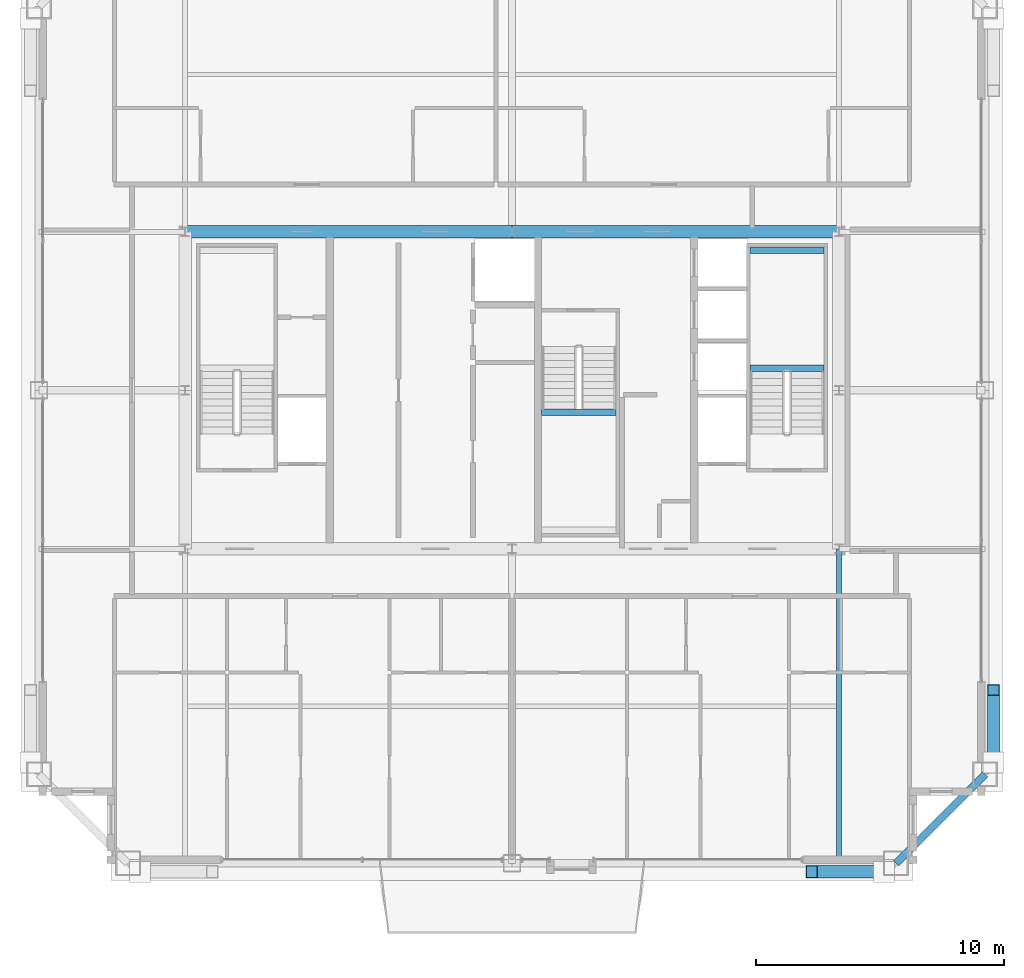
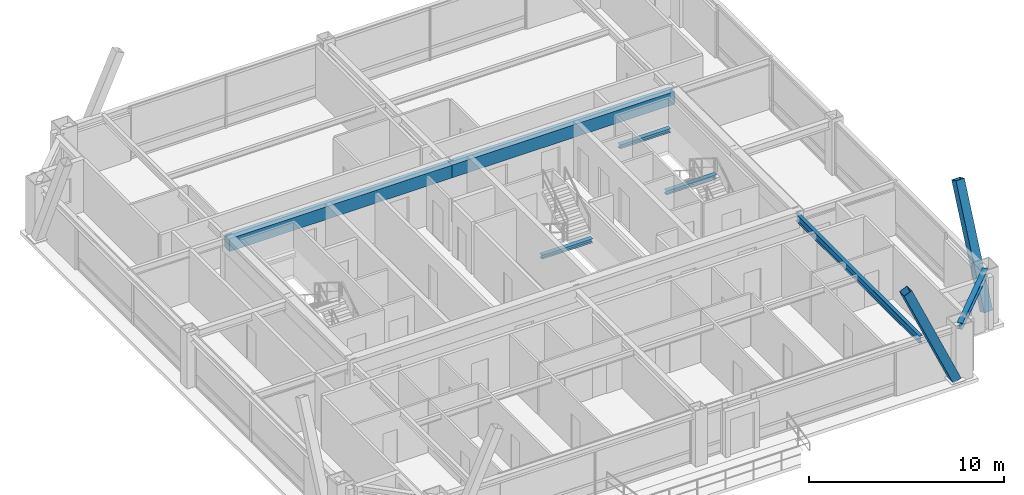
# One storey, part 12 of 34: 7 beams, 2 members.
"""IFC4 building model written with IfcOpenShell, lengths in metres."""

from ifc_helpers import new_model, si_unit, direction, frame, origin, origin_2d, place, context, subcontext, project, spatial, rectangle, hollow_rectangle, i_section, extrude, source, transform, mapped, material, material_profile, profile_set, type_object, element, save


model = new_model("IFC4")

# Units and contexts
model_context = context("Model", 3, precision=1e-05, world=origin(), true_north=direction((0.0, 1.0)))
body_context = subcontext(model_context, "Body", "Model", "MODEL_VIEW")
ifc_project = project(units=[si_unit("LENGTHUNIT", "METRE"), si_unit("AREAUNIT", "SQUARE_METRE"), si_unit("VOLUMEUNIT", "CUBIC_METRE"), si_unit("PLANEANGLEUNIT", "RADIAN"), si_unit("MASSUNIT", "GRAM", prefix="KILO"), si_unit("THERMODYNAMICTEMPERATUREUNIT", "KELVIN"), si_unit("POWERUNIT", "WATT")], contexts=[model_context])

# Site, building, storey
site_placement = place(None, origin())
site = spatial("IfcSite", under=ifc_project, at=site_placement, CompositionType="ELEMENT")
building_placement = place(site_placement, origin())
building = spatial("IfcBuilding", under=site, at=building_placement, Name="Yuzanri Waterfront Tower", CompositionType="ELEMENT")
storey_placement = place(building_placement, frame((0.0, 0.0, 328.699951171875)))
storey = spatial("IfcBuildingStorey", under=building, at=storey_placement, Name="L88", CompositionType="ELEMENT", Elevation=328.699951171875)

# Beams
ifc_material_1 = material(Name="Concrete C50", Category="concrete")
ifc_material_profile_1 = material_profile(ifc_material_1, rectangle(XDim=0.5, YDim=0.800048828125, at=origin_2d()), Name="RC 500x800")
ifc_profile_set_1 = profile_set([ifc_material_profile_1], Name="Concrete C50")
beam_type_1 = type_object("IfcBeamType", Name="Core Coupling Lintel Concrete C50 500x800", PredefinedType="LINTEL", material=ifc_profile_set_1)
shared_shape_1 = source(origin(), body_context, "Body", "SweptSolid", [
    extrude(rectangle(XDim=0.5, YDim=0.800048828125, at=origin_2d()), origin(), (0.0, 0.0, 1.0), 13.199951171875),
])
for number, where, z_axis, x_axis, name in (
    (1, (23.800048828125, 32.199951171875, 2.880126953125), (1.0, 0.0, 0.0), (0.0, 1.0, 0.0), "L88 Core Tie Beam CN1"),
    (2, (37.0, 32.199951171875, 2.880126953125), (1.0, 0.0, 0.0), (0.0, 1.0, 0.0), "L88 Core Tie Beam CN2"),
):
    element("IfcBeam", number, at=place(storey_placement, frame(where, z_axis=z_axis, x_axis=x_axis)), inside=storey, type_object=beam_type_1, Name=name, PredefinedType="LINTEL", context=body_context, shape_type="MappedRepresentation", body=[
        mapped(shared_shape_1, transform((0.0, 0.0, 0.0), scale=1.0)),
    ])
ifc_material_2 = material(Name="Steel Q355B", Category="steel")
ifc_material_profile_2 = material_profile(ifc_material_2, i_section(OverallWidth=0.300048828125, OverallDepth=0.389892578125, WebThickness=0.010009765625, FlangeThickness=0.01611328125, at=origin_2d()), Name="HM 390x300x10x16")
ifc_profile_set_2 = profile_set([ifc_material_profile_2], Name="Steel Q355B")
beam_type_2 = type_object("IfcBeamType", Name="Perimeter Spandrel Q355B HM 390x300", PredefinedType="SPANDREL", material=ifc_profile_set_2)
shared_shape_2 = source(origin(), body_context, "Body", "SweptSolid", [
    extrude(i_section(OverallWidth=0.300048828125, OverallDepth=0.389892578125, WebThickness=0.010009765625, FlangeThickness=0.01611328125, at=origin_2d()), origin(), (0.0, 0.0, 1.0), 5.09130859375),
])
beam_1_placement = place(storey_placement, frame((52.5, 6.699951171875, 3.0849609375), z_axis=(0.707106781187, 0.707106781187, 0.0), x_axis=(-0.707106781187, 0.707106781187, 0.0)))
element("IfcBeam", 3, at=beam_1_placement, inside=storey, type_object=beam_type_2, Name="L88 Perimeter Spandrel S3-E1", PredefinedType="SPANDREL", context=body_context, shape_type="MappedRepresentation", body=[
    mapped(shared_shape_2, transform((0.0, 0.0, 0.0), scale=1.0)),
])
ifc_material_3 = material(Name="Steel Q355B", Category="steel")
ifc_material_profile_3 = material_profile(ifc_material_3, i_section(OverallWidth=0.199951171875, OverallDepth=0.449951171875, WebThickness=0.009033203125, FlangeThickness=0.013916015625, at=origin_2d()), Name="HN 450x200x9x14")
ifc_profile_set_3 = profile_set([ifc_material_profile_3], Name="Steel Q355B")
beam_type_3 = type_object("IfcBeamType", Name="Secondary Floor Beam Q355B HN 450x200", PredefinedType="BEAM", material=ifc_profile_set_3)
shared_shape_3 = source(origin(), body_context, "Body", "SweptSolid", [
    extrude(i_section(OverallWidth=0.199951171875, OverallDepth=0.449951171875, WebThickness=0.009033203125, FlangeThickness=0.013916015625, at=origin_2d()), origin(), (0.0, 0.0, 1.0), 12.699951171875),
])
beam_2_placement = place(storey_placement, frame((50.199951171875, 19.39990234375, 3.054931640625), z_axis=(0.0, -1.0, 0.0), x_axis=(1.0, 0.0, 0.0)))
element("IfcBeam", 4, at=beam_2_placement, inside=storey, type_object=beam_type_3, Name="L88 South-East Core Line Beam", PredefinedType="BEAM", context=body_context, shape_type="MappedRepresentation", body=[
    mapped(shared_shape_3, transform((0.0, 0.0, 0.0), scale=1.0)),
])

# Members
ifc_material_4 = material(Name="Steel Q390GJC", Category="steel")
ifc_material_profile_4 = material_profile(ifc_material_4, hollow_rectangle(XDim=0.5, YDim=0.5, WallThickness=0.02197265625, at=origin_2d()), Name="RHS 500x500x22")
ifc_profile_set_4 = profile_set([ifc_material_profile_4], Name="Steel Q390GJC")
member_type = type_object("IfcMemberType", Name="Mega Brace Upper Q390GJC RHS 500x500x22", PredefinedType="BRACE", material=ifc_profile_set_4)
shared_shape_4 = source(origin(), body_context, "Body", "SweptSolid", [
    extrude(hollow_rectangle(XDim=0.5, YDim=0.5, WallThickness=0.02197265625, at=origin_2d()), origin(), (0.0, 0.0, 1.0), 7.125732421875),
])
for number, where, z_axis, x_axis, name in (
    (5, (52.02001953125, 6.360107421875, 0.179931640625), (-0.409771952938, 0.0, 0.912187999584), (0.0, -1.0, 0.0), "L88-L89 Perimeter Mega-Brace S-R"),
    (6, (56.43994140625, 10.780029296875, 0.179931640625), (0.0, 0.409771952938, 0.912187999584), (-1.0, 0.0, 0.0), "L88-L89 Perimeter Mega-Brace E-L"),
):
    element("IfcMember", number, at=place(storey_placement, frame(where, z_axis=z_axis, x_axis=x_axis)), inside=storey, type_object=member_type, Name=name, PredefinedType="BRACE", context=body_context, shape_type="MappedRepresentation", body=[
        mapped(shared_shape_4, transform((0.0, 0.0, 0.0), scale=1.0)),
    ])

# Beams
ifc_material_5 = material(Name="Steel Q355B", Category="steel")
ifc_material_profile_5 = material_profile(ifc_material_5, i_section(OverallWidth=0.25, OverallDepth=0.25, WebThickness=0.009033203125, FlangeThickness=0.013916015625, at=origin_2d()), Name="HW 250x250x9x14")
ifc_profile_set_5 = profile_set([ifc_material_profile_5], Name="Steel Q355B")
beam_type_4 = type_object("IfcBeamType", Name="Stair Landing Support Beam Q355B HW 250x250", PredefinedType="BEAM", material=ifc_profile_set_5)
shared_shape_5 = source(origin(), body_context, "Body", "SweptSolid", [
    extrude(i_section(OverallWidth=0.25, OverallDepth=0.25, WebThickness=0.009033203125, FlangeThickness=0.013916015625, at=origin_2d()), origin(), (0.0, 0.0, 1.0), 3.0),
])
for number, where, z_axis, x_axis, name in (
    (7, (46.60009765625, 26.68994140625, 1.425048828125), (1.0, 0.0, 0.0), (0.0, 1.0, 0.0), "L88 Stair Landing Support Beam ST-02-L88-L1-1"),
    (8, (46.60009765625, 31.449951171875, 1.425048828125), (1.0, 0.0, 0.0), (0.0, 1.0, 0.0), "L88 Stair Landing Support Beam ST-02-L88-L1-2"),
    (9, (38.199951171875, 24.909912109375, 1.425048828125), (1.0, 0.0, 0.0), (0.0, 1.0, 0.0), "L88 Stair Landing Support Beam ST-03-L88-L1-2"),
):
    element("IfcBeam", number, at=place(storey_placement, frame(where, z_axis=z_axis, x_axis=x_axis)), inside=storey, type_object=beam_type_4, Name=name, PredefinedType="BEAM", context=body_context, shape_type="MappedRepresentation", body=[
        mapped(shared_shape_5, transform((0.0, 0.0, 0.0), scale=1.0)),
    ])

save(model, "model.ifc")
